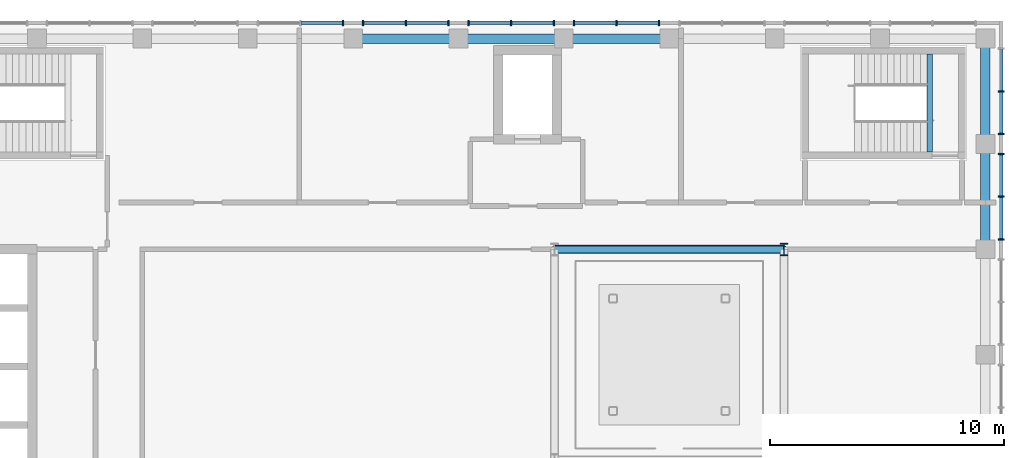
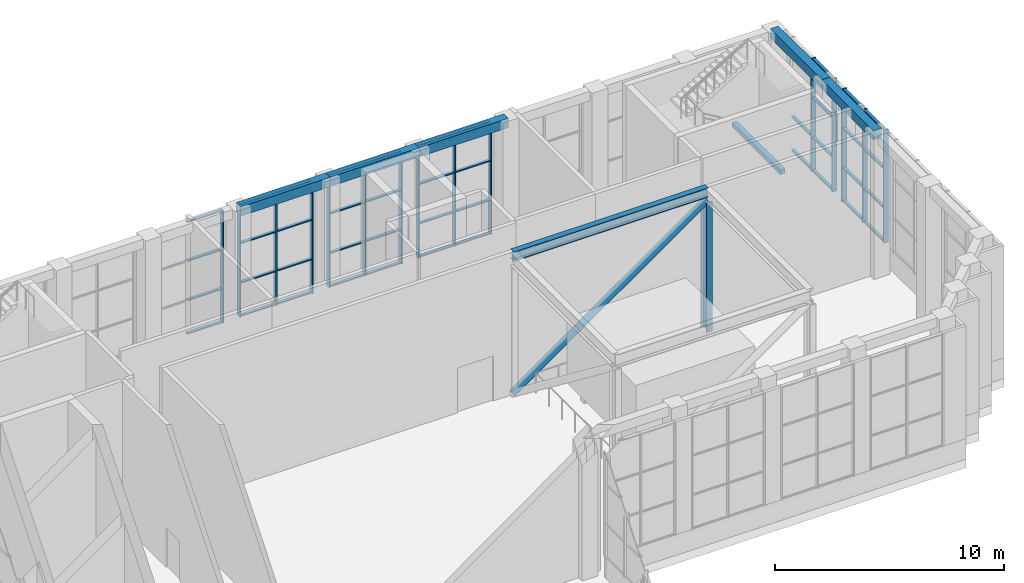
# One storey, part 7 of 17: 60 members, 6 beams, 6 elements without a shape of their own.
"""IFC4 building model written with IfcOpenShell, lengths in metres."""

from ifc_helpers import new_model, si_unit, direction, frame, origin, origin_2d, place, context, subcontext, project, spatial, rectangle, hollow_circle, i_section, extrude, material, material_profile, profile_set, type_object, element, aggregate, save


model = new_model("IFC4")

# Units and contexts
model_context = context("Model", 3, precision=1e-05, world=origin(), true_north=direction((0.0, 1.0)))
body_context = subcontext(model_context, "Body", "Model", "MODEL_VIEW")
ifc_project = project(units=[si_unit("LENGTHUNIT", "METRE"), si_unit("AREAUNIT", "SQUARE_METRE"), si_unit("VOLUMEUNIT", "CUBIC_METRE"), si_unit("PLANEANGLEUNIT", "RADIAN"), si_unit("MASSUNIT", "GRAM", prefix="KILO")], contexts=[model_context])

# Site, building, storey
site_placement = place(None, origin())
site = spatial("IfcSite", under=ifc_project, at=site_placement, CompositionType="ELEMENT")
building_placement = place(site_placement, origin())
building = spatial("IfcBuilding", under=site, at=building_placement, Name="Firuza Court", CompositionType="ELEMENT")
storey_placement = place(building_placement, frame((0.0, 0.0, 258.199951171875)))
storey = spatial("IfcBuildingStorey", under=building, at=storey_placement, Name="L67", CompositionType="ELEMENT", Elevation=258.199951171875)

# Members
ifc_material_1 = material(Name="Steel S355", Category="steel")
ifc_material_profile_1 = material_profile(ifc_material_1, i_section(OverallWidth=0.300048828125, OverallDepth=0.5, WebThickness=0.014404296875, FlangeThickness=0.028076171875, FilletRadius=0.027099609375, at=origin_2d()), Name="HE 500 B")
ifc_profile_set_1 = profile_set([ifc_material_profile_1], Name="Steel S355")
member_type_1 = type_object("IfcMemberType", Name="Damper frame beam HE 500 B S355", PredefinedType="MEMBER", material=ifc_profile_set_1)
member_1_placement = place(storey_placement, frame((26.60009765625, 49.5, 7.35009765625), z_axis=(1.0, 0.0, 0.0), x_axis=(0.0, 1.0, 0.0)))
element("IfcMember", 1, at=member_1_placement, inside=storey, type_object=member_type_1, Name="Damper frame beam TB2 L67", PredefinedType="MEMBER", context=body_context, shape_type="SweptSolid", body=[
    extrude(i_section(OverallWidth=0.300048828125, OverallDepth=0.5, WebThickness=0.014404296875, FlangeThickness=0.028076171875, FilletRadius=0.027099609375, at=origin_2d()), origin(), (0.0, 0.0, 1.0), 9.7998046875),
])
ifc_material_2 = material(Name="Steel S355", Category="steel")
ifc_material_profile_2 = material_profile(ifc_material_2, hollow_circle(Radius=0.177734375, WallThickness=0.01611328125, at=origin_2d()), Name="CHS 355.6x16")
ifc_profile_set_2 = profile_set([ifc_material_profile_2], Name="Steel S355")
member_type_2 = type_object("IfcMemberType", Name="Damper frame brace CHS 355.6x16 S355", PredefinedType="BRACE", material=ifc_profile_set_2)
member_2_placement = place(storey_placement, frame((26.60009765625, 49.5, 0.0), z_axis=(0.817649802044, 0.0, 0.575715903218), x_axis=(0.0, 1.0, 0.0)))
element("IfcMember", 2, at=member_2_placement, inside=storey, type_object=member_type_2, Name="Damper frame brace TV1 L67", PredefinedType="BRACE", context=body_context, shape_type="SweptSolid", body=[
    extrude(hollow_circle(Radius=0.177734375, WallThickness=0.01611328125, at=origin_2d()), origin(), (0.0, 0.0, 1.0), 11.9853515625),
])
ifc_material_3 = material(Name="Steel S355", Category="steel")
ifc_material_profile_3 = material_profile(ifc_material_3, i_section(OverallWidth=0.305908203125, OverallDepth=0.52392578125, WebThickness=0.02099609375, FlangeThickness=0.0400390625, FilletRadius=0.027099609375, at=origin_2d()), Name="HE 500 M")
ifc_profile_set_3 = profile_set([ifc_material_profile_3], Name="Steel S355")
member_type_3 = type_object("IfcMemberType", Name="Damper frame column HE 500 M S355", PredefinedType="POST", material=ifc_profile_set_3)
member_3_placement = place(storey_placement, frame((36.39990234375, 49.5, 0.0), z_axis=(0.0, 0.0, 1.0), x_axis=(1.0, 0.0, 0.0)))
element("IfcMember", 3, at=member_3_placement, inside=storey, type_object=member_type_3, Name="Damper frame column TF1 L67", PredefinedType="POST", context=body_context, shape_type="SweptSolid", body=[
    extrude(i_section(OverallWidth=0.305908203125, OverallDepth=0.52392578125, WebThickness=0.02099609375, FlangeThickness=0.0400390625, FilletRadius=0.027099609375, at=origin_2d()), origin(), (0.0, 0.0, 1.0), 6.900146484375),
])

# Beam
ifc_material_4 = material(Name="Concrete C40/50", Category="concrete")
ifc_material_profile_4 = material_profile(ifc_material_4, rectangle(XDim=0.25, YDim=0.25, at=origin_2d()), Name="RC 250x250")
ifc_profile_set_4 = profile_set([ifc_material_profile_4], Name="Concrete C40/50")
beam_type_1 = type_object("IfcBeamType", Name="Landing beam RC 250x250 C40/50", PredefinedType="BEAM", material=ifc_profile_set_4)
beam_placement = place(storey_placement, frame((42.625, 53.64990234375, 3.675048828125), z_axis=(0.0, 1.0, 0.0), x_axis=(-1.0, 0.0, 0.0)))
element("IfcBeam", 4, at=beam_placement, inside=storey, type_object=beam_type_1, Name="Landing beam S1 L67", PredefinedType="BEAM", context=body_context, shape_type="SweptSolid", body=[
    extrude(rectangle(XDim=0.25, YDim=0.25, at=origin_2d()), origin(), (0.0, 0.0, 1.0), 4.2001953125),
])

# Curtain wall, members
ifc_material_5 = material(Name="Aluminium curtain wall, triple clear glazing", Category="aluminium")
curtain_wall_type = type_object("IfcCurtainWallType", Name="Damper hall structural glazing CW4", PredefinedType="NOTDEFINED", material=ifc_material_5)
curtain_wall_1_placement = place(storey_placement, origin())
curtain_wall_1 = element("IfcCurtainWall", 5, at=curtain_wall_1_placement, inside=storey, type_object=curtain_wall_type, Name="Damper hall structural glazing CW4 L67", PredefinedType="NOTDEFINED")
ifc_material_6 = material(Name="Aluminium EN AW-6060 T66", Category="aluminium")
ifc_material_profile_5 = material_profile(ifc_material_6, rectangle(XDim=0.25, YDim=0.06005859375, at=origin_2d()), Name="Mullion 250 x 60 CW4")
ifc_profile_set_5 = profile_set([ifc_material_profile_5], Name="Aluminium EN AW-6060 T66")
member_type_4 = type_object("IfcMemberType", Name="Mullion 250 x 60 CW4", PredefinedType="MULLION", material=ifc_profile_set_5)
member_4_placement = place(storey_placement, frame((45.669921875, 49.929931640625, 1.10009765625), z_axis=(0.0, 0.0, 1.0), x_axis=(-1.0, 0.0, 0.0)))
member_4 = element("IfcMember", 6, at=member_4_placement, type_object=member_type_4, Name="CW4 mullion 1", PredefinedType="MULLION", context=body_context, shape_type="SweptSolid", body=[
    extrude(rectangle(XDim=0.25, YDim=0.06005859375, at=origin_2d()), origin(), (0.0, 0.0, 1.0), 6.0),
])
member_5_placement = place(storey_placement, frame((45.669921875, 51.75, 1.10009765625), z_axis=(0.0, 0.0, 1.0), x_axis=(-1.0, 0.0, 0.0)))
member_5 = element("IfcMember", 7, at=member_5_placement, type_object=member_type_4, Name="CW4 mullion 2", PredefinedType="MULLION", context=body_context, shape_type="SweptSolid", body=[
    extrude(rectangle(XDim=0.25, YDim=0.06005859375, at=origin_2d()), origin(), (0.0, 0.0, 1.0), 6.0),
])
member_6_placement = place(storey_placement, frame((45.669921875, 53.570068359375, 1.10009765625), z_axis=(0.0, 0.0, 1.0), x_axis=(-1.0, 0.0, 0.0)))
member_6 = element("IfcMember", 8, at=member_6_placement, type_object=member_type_4, Name="CW4 mullion 3", PredefinedType="MULLION", context=body_context, shape_type="SweptSolid", body=[
    extrude(rectangle(XDim=0.25, YDim=0.06005859375, at=origin_2d()), origin(), (0.0, 0.0, 1.0), 6.0),
])

curtain_wall_2_placement = place(storey_placement, origin())
curtain_wall_2 = element("IfcCurtainWall", 9, at=curtain_wall_2_placement, inside=storey, type_object=curtain_wall_type, Name="Damper hall structural glazing CW4 L67", PredefinedType="NOTDEFINED")
member_7_placement = place(storey_placement, frame((45.669921875, 54.429931640625, 1.10009765625), z_axis=(0.0, 0.0, 1.0), x_axis=(-1.0, 0.0, 0.0)))
member_7 = element("IfcMember", 10, at=member_7_placement, type_object=member_type_4, Name="CW4 mullion 1", PredefinedType="MULLION", context=body_context, shape_type="SweptSolid", body=[
    extrude(rectangle(XDim=0.25, YDim=0.06005859375, at=origin_2d()), origin(), (0.0, 0.0, 1.0), 6.0),
])
member_8_placement = place(storey_placement, frame((45.669921875, 56.25, 1.10009765625), z_axis=(0.0, 0.0, 1.0), x_axis=(-1.0, 0.0, 0.0)))
member_8 = element("IfcMember", 11, at=member_8_placement, type_object=member_type_4, Name="CW4 mullion 2", PredefinedType="MULLION", context=body_context, shape_type="SweptSolid", body=[
    extrude(rectangle(XDim=0.25, YDim=0.06005859375, at=origin_2d()), origin(), (0.0, 0.0, 1.0), 6.0),
])

curtain_wall_3_placement = place(storey_placement, origin())
curtain_wall_3 = element("IfcCurtainWall", 12, at=curtain_wall_3_placement, inside=storey, type_object=curtain_wall_type, Name="Damper hall structural glazing CW4 L67", PredefinedType="NOTDEFINED")
member_9_placement = place(storey_placement, frame((31.070068359375, 59.169921875, 1.10009765625), z_axis=(0.0, 0.0, 1.0), x_axis=(0.0, -1.0, 0.0)))
member_9 = element("IfcMember", 13, at=member_9_placement, type_object=member_type_4, Name="CW4 mullion 1", PredefinedType="MULLION", context=body_context, shape_type="SweptSolid", body=[
    extrude(rectangle(XDim=0.25, YDim=0.06005859375, at=origin_2d()), origin(), (0.0, 0.0, 1.0), 6.0),
])
member_10_placement = place(storey_placement, frame((29.25, 59.169921875, 1.10009765625), z_axis=(0.0, 0.0, 1.0), x_axis=(0.0, -1.0, 0.0)))
member_10 = element("IfcMember", 14, at=member_10_placement, type_object=member_type_4, Name="CW4 mullion 2", PredefinedType="MULLION", context=body_context, shape_type="SweptSolid", body=[
    extrude(rectangle(XDim=0.25, YDim=0.06005859375, at=origin_2d()), origin(), (0.0, 0.0, 1.0), 6.0),
])
member_11_placement = place(storey_placement, frame((27.429931640625, 59.169921875, 1.10009765625), z_axis=(0.0, 0.0, 1.0), x_axis=(0.0, -1.0, 0.0)))
member_11 = element("IfcMember", 15, at=member_11_placement, type_object=member_type_4, Name="CW4 mullion 3", PredefinedType="MULLION", context=body_context, shape_type="SweptSolid", body=[
    extrude(rectangle(XDim=0.25, YDim=0.06005859375, at=origin_2d()), origin(), (0.0, 0.0, 1.0), 6.0),
])

curtain_wall_4_placement = place(storey_placement, origin())
curtain_wall_4 = element("IfcCurtainWall", 16, at=curtain_wall_4_placement, inside=storey, type_object=curtain_wall_type, Name="Damper hall structural glazing CW4 L67", PredefinedType="NOTDEFINED")
member_12_placement = place(storey_placement, frame((26.570068359375, 59.169921875, 1.10009765625), z_axis=(0.0, 0.0, 1.0), x_axis=(0.0, -1.0, 0.0)))
member_12 = element("IfcMember", 17, at=member_12_placement, type_object=member_type_4, Name="CW4 mullion 1", PredefinedType="MULLION", context=body_context, shape_type="SweptSolid", body=[
    extrude(rectangle(XDim=0.25, YDim=0.06005859375, at=origin_2d()), origin(), (0.0, 0.0, 1.0), 6.0),
])
member_13_placement = place(storey_placement, frame((24.75, 59.169921875, 1.10009765625), z_axis=(0.0, 0.0, 1.0), x_axis=(0.0, -1.0, 0.0)))
member_13 = element("IfcMember", 18, at=member_13_placement, type_object=member_type_4, Name="CW4 mullion 2", PredefinedType="MULLION", context=body_context, shape_type="SweptSolid", body=[
    extrude(rectangle(XDim=0.25, YDim=0.06005859375, at=origin_2d()), origin(), (0.0, 0.0, 1.0), 6.0),
])
member_14_placement = place(storey_placement, frame((22.929931640625, 59.169921875, 1.10009765625), z_axis=(0.0, 0.0, 1.0), x_axis=(0.0, -1.0, 0.0)))
member_14 = element("IfcMember", 19, at=member_14_placement, type_object=member_type_4, Name="CW4 mullion 3", PredefinedType="MULLION", context=body_context, shape_type="SweptSolid", body=[
    extrude(rectangle(XDim=0.25, YDim=0.06005859375, at=origin_2d()), origin(), (0.0, 0.0, 1.0), 6.0),
])

curtain_wall_5_placement = place(storey_placement, origin())
curtain_wall_5 = element("IfcCurtainWall", 20, at=curtain_wall_5_placement, inside=storey, type_object=curtain_wall_type, Name="Damper hall structural glazing CW4 L67", PredefinedType="NOTDEFINED")
member_15_placement = place(storey_placement, frame((22.070068359375, 59.169921875, 1.10009765625), z_axis=(0.0, 0.0, 1.0), x_axis=(0.0, -1.0, 0.0)))
member_15 = element("IfcMember", 21, at=member_15_placement, type_object=member_type_4, Name="CW4 mullion 1", PredefinedType="MULLION", context=body_context, shape_type="SweptSolid", body=[
    extrude(rectangle(XDim=0.25, YDim=0.06005859375, at=origin_2d()), origin(), (0.0, 0.0, 1.0), 6.0),
])
member_16_placement = place(storey_placement, frame((20.25, 59.169921875, 1.10009765625), z_axis=(0.0, 0.0, 1.0), x_axis=(0.0, -1.0, 0.0)))
member_16 = element("IfcMember", 22, at=member_16_placement, type_object=member_type_4, Name="CW4 mullion 2", PredefinedType="MULLION", context=body_context, shape_type="SweptSolid", body=[
    extrude(rectangle(XDim=0.25, YDim=0.06005859375, at=origin_2d()), origin(), (0.0, 0.0, 1.0), 6.0),
])
member_17_placement = place(storey_placement, frame((18.429931640625, 59.169921875, 1.10009765625), z_axis=(0.0, 0.0, 1.0), x_axis=(0.0, -1.0, 0.0)))
member_17 = element("IfcMember", 23, at=member_17_placement, type_object=member_type_4, Name="CW4 mullion 3", PredefinedType="MULLION", context=body_context, shape_type="SweptSolid", body=[
    extrude(rectangle(XDim=0.25, YDim=0.06005859375, at=origin_2d()), origin(), (0.0, 0.0, 1.0), 6.0),
])

# Curtain wall, member
curtain_wall_6_placement = place(storey_placement, origin())
curtain_wall_6 = element("IfcCurtainWall", 24, at=curtain_wall_6_placement, inside=storey, type_object=curtain_wall_type, Name="Damper hall structural glazing CW4 L67", PredefinedType="NOTDEFINED")
member_18_placement = place(storey_placement, frame((17.570068359375, 59.169921875, 1.10009765625), z_axis=(0.0, 0.0, 1.0), x_axis=(0.0, -1.0, 0.0)))
member_18 = element("IfcMember", 25, at=member_18_placement, type_object=member_type_4, Name="CW4 mullion 1", PredefinedType="MULLION", context=body_context, shape_type="SweptSolid", body=[
    extrude(rectangle(XDim=0.25, YDim=0.06005859375, at=origin_2d()), origin(), (0.0, 0.0, 1.0), 6.0),
])

# Beams
ifc_material_7 = material(Name="Concrete C40/50", Category="concrete")
ifc_material_profile_6 = material_profile(ifc_material_7, rectangle(XDim=0.39990234375, YDim=0.5, at=origin_2d()), Name="RC 400x500")
ifc_profile_set_6 = profile_set([ifc_material_profile_6], Name="Concrete C40/50")
beam_type_2 = type_object("IfcBeamType", Name="Spandrel beam RC 400x500 C40/50", PredefinedType="BEAM", material=ifc_profile_set_6)
for number, where, z_axis, x_axis, name in (
    (26, (22.5, 58.5, 7.35009765625), (-1.0, 0.0, 0.0), (0.0, -1.0, 0.0), "Spandrel beam SP18 level L68"),
    (27, (27.0, 58.5, 7.35009765625), (-1.0, 0.0, 0.0), (0.0, -1.0, 0.0), "Spandrel beam SP18 level L68"),
    (28, (31.5, 58.5, 7.35009765625), (-1.0, 0.0, 0.0), (0.0, -1.0, 0.0), "Spandrel beam SP18 level L68"),
    (29, (45.0, 49.5, 7.35009765625), (0.0, 1.0, 0.0), (-1.0, 0.0, 0.0), "Spandrel beam SP18 level L68"),
    (30, (45.0, 54.0, 7.35009765625), (0.0, 1.0, 0.0), (-1.0, 0.0, 0.0), "Spandrel beam SP18 level L68"),
):
    element("IfcBeam", number, at=place(storey_placement, frame(where, z_axis=z_axis, x_axis=x_axis)), inside=storey, type_object=beam_type_2, Name=name, PredefinedType="BEAM", context=body_context, shape_type="SweptSolid", body=[
        extrude(rectangle(XDim=0.39990234375, YDim=0.5, at=origin_2d()), origin(), (0.0, 0.0, 1.0), 4.5),
    ])

# Member
ifc_material_8 = material(Name="Aluminium EN AW-6060 T66", Category="aluminium")
ifc_material_profile_7 = material_profile(ifc_material_8, rectangle(XDim=0.14990234375, YDim=0.06005859375, at=origin_2d()), Name="Transom 150 x 60 CW4")
ifc_profile_set_7 = profile_set([ifc_material_profile_7], Name="Aluminium EN AW-6060 T66")
member_type_5 = type_object("IfcMemberType", Name="Transom 150 x 60 CW4", PredefinedType="USERDEFINED", material=ifc_profile_set_7)
member_19_placement = place(storey_placement, frame((45.669921875, 49.9599609375, 1.130126953125), z_axis=(0.0, 1.0, 0.0), x_axis=(-1.0, 0.0, 0.0)))
member_19 = element("IfcMember", 31, at=member_19_placement, type_object=member_type_5, Name="CW4 transom 1.1", ObjectType="TRANSOM", PredefinedType="USERDEFINED", context=body_context, shape_type="SweptSolid", body=[
    extrude(rectangle(XDim=0.14990234375, YDim=0.06005859375, at=origin_2d()), origin(), (0.0, 0.0, 1.0), 1.760009765625),
])

member_20_placement = place(storey_placement, frame((45.669921875, 49.9599609375, 2.900146484375), z_axis=(0.0, 1.0, 0.0), x_axis=(-1.0, 0.0, 0.0)))
member_20 = element("IfcMember", 32, at=member_20_placement, type_object=member_type_5, Name="CW4 transom 1.2", ObjectType="TRANSOM", PredefinedType="USERDEFINED", context=body_context, shape_type="SweptSolid", body=[
    extrude(rectangle(XDim=0.14990234375, YDim=0.06005859375, at=origin_2d()), origin(), (0.0, 0.0, 1.0), 1.760009765625),
])

member_21_placement = place(storey_placement, frame((45.669921875, 49.9599609375, 5.0), z_axis=(0.0, 1.0, 0.0), x_axis=(-1.0, 0.0, 0.0)))
member_21 = element("IfcMember", 33, at=member_21_placement, type_object=member_type_5, Name="CW4 transom 1.3", ObjectType="TRANSOM", PredefinedType="USERDEFINED", context=body_context, shape_type="SweptSolid", body=[
    extrude(rectangle(XDim=0.14990234375, YDim=0.06005859375, at=origin_2d()), origin(), (0.0, 0.0, 1.0), 1.760009765625),
])

member_22_placement = place(storey_placement, frame((45.669921875, 49.9599609375, 7.070068359375), z_axis=(0.0, 1.0, 0.0), x_axis=(-1.0, 0.0, 0.0)))
member_22 = element("IfcMember", 34, at=member_22_placement, type_object=member_type_5, Name="CW4 transom 1.4", ObjectType="TRANSOM", PredefinedType="USERDEFINED", context=body_context, shape_type="SweptSolid", body=[
    extrude(rectangle(XDim=0.14990234375, YDim=0.06005859375, at=origin_2d()), origin(), (0.0, 0.0, 1.0), 1.760009765625),
])

member_23_placement = place(storey_placement, frame((45.669921875, 51.780029296875, 1.130126953125), z_axis=(0.0, 1.0, 0.0), x_axis=(-1.0, 0.0, 0.0)))
member_23 = element("IfcMember", 35, at=member_23_placement, type_object=member_type_5, Name="CW4 transom 2.1", ObjectType="TRANSOM", PredefinedType="USERDEFINED", context=body_context, shape_type="SweptSolid", body=[
    extrude(rectangle(XDim=0.14990234375, YDim=0.06005859375, at=origin_2d()), origin(), (0.0, 0.0, 1.0), 1.760009765625),
])

member_24_placement = place(storey_placement, frame((45.669921875, 51.780029296875, 2.900146484375), z_axis=(0.0, 1.0, 0.0), x_axis=(-1.0, 0.0, 0.0)))
member_24 = element("IfcMember", 36, at=member_24_placement, type_object=member_type_5, Name="CW4 transom 2.2", ObjectType="TRANSOM", PredefinedType="USERDEFINED", context=body_context, shape_type="SweptSolid", body=[
    extrude(rectangle(XDim=0.14990234375, YDim=0.06005859375, at=origin_2d()), origin(), (0.0, 0.0, 1.0), 1.760009765625),
])

member_25_placement = place(storey_placement, frame((45.669921875, 51.780029296875, 5.0), z_axis=(0.0, 1.0, 0.0), x_axis=(-1.0, 0.0, 0.0)))
member_25 = element("IfcMember", 37, at=member_25_placement, type_object=member_type_5, Name="CW4 transom 2.3", ObjectType="TRANSOM", PredefinedType="USERDEFINED", context=body_context, shape_type="SweptSolid", body=[
    extrude(rectangle(XDim=0.14990234375, YDim=0.06005859375, at=origin_2d()), origin(), (0.0, 0.0, 1.0), 1.760009765625),
])

member_26_placement = place(storey_placement, frame((45.669921875, 51.780029296875, 7.070068359375), z_axis=(0.0, 1.0, 0.0), x_axis=(-1.0, 0.0, 0.0)))
member_26 = element("IfcMember", 38, at=member_26_placement, type_object=member_type_5, Name="CW4 transom 2.4", ObjectType="TRANSOM", PredefinedType="USERDEFINED", context=body_context, shape_type="SweptSolid", body=[
    extrude(rectangle(XDim=0.14990234375, YDim=0.06005859375, at=origin_2d()), origin(), (0.0, 0.0, 1.0), 1.760009765625),
])

aggregate(curtain_wall_1, [member_4, member_5, member_6, member_19, member_20, member_21, member_22, member_23, member_24, member_25, member_26])

member_27_placement = place(storey_placement, frame((45.669921875, 54.4599609375, 1.130126953125), z_axis=(0.0, 1.0, 0.0), x_axis=(-1.0, 0.0, 0.0)))
member_27 = element("IfcMember", 39, at=member_27_placement, type_object=member_type_5, Name="CW4 transom 1.1", ObjectType="TRANSOM", PredefinedType="USERDEFINED", context=body_context, shape_type="SweptSolid", body=[
    extrude(rectangle(XDim=0.14990234375, YDim=0.06005859375, at=origin_2d()), origin(), (0.0, 0.0, 1.0), 1.760009765625),
])

member_28_placement = place(storey_placement, frame((45.669921875, 54.4599609375, 2.900146484375), z_axis=(0.0, 1.0, 0.0), x_axis=(-1.0, 0.0, 0.0)))
member_28 = element("IfcMember", 40, at=member_28_placement, type_object=member_type_5, Name="CW4 transom 1.2", ObjectType="TRANSOM", PredefinedType="USERDEFINED", context=body_context, shape_type="SweptSolid", body=[
    extrude(rectangle(XDim=0.14990234375, YDim=0.06005859375, at=origin_2d()), origin(), (0.0, 0.0, 1.0), 1.760009765625),
])

member_29_placement = place(storey_placement, frame((45.669921875, 54.4599609375, 5.0), z_axis=(0.0, 1.0, 0.0), x_axis=(-1.0, 0.0, 0.0)))
member_29 = element("IfcMember", 41, at=member_29_placement, type_object=member_type_5, Name="CW4 transom 1.3", ObjectType="TRANSOM", PredefinedType="USERDEFINED", context=body_context, shape_type="SweptSolid", body=[
    extrude(rectangle(XDim=0.14990234375, YDim=0.06005859375, at=origin_2d()), origin(), (0.0, 0.0, 1.0), 1.760009765625),
])

member_30_placement = place(storey_placement, frame((45.669921875, 54.4599609375, 7.070068359375), z_axis=(0.0, 1.0, 0.0), x_axis=(-1.0, 0.0, 0.0)))
member_30 = element("IfcMember", 42, at=member_30_placement, type_object=member_type_5, Name="CW4 transom 1.4", ObjectType="TRANSOM", PredefinedType="USERDEFINED", context=body_context, shape_type="SweptSolid", body=[
    extrude(rectangle(XDim=0.14990234375, YDim=0.06005859375, at=origin_2d()), origin(), (0.0, 0.0, 1.0), 1.760009765625),
])

member_31_placement = place(storey_placement, frame((45.669921875, 56.280029296875, 1.130126953125), z_axis=(0.0, 1.0, 0.0), x_axis=(-1.0, 0.0, 0.0)))
member_31 = element("IfcMember", 43, at=member_31_placement, type_object=member_type_5, Name="CW4 transom 2.1", ObjectType="TRANSOM", PredefinedType="USERDEFINED", context=body_context, shape_type="SweptSolid", body=[
    extrude(rectangle(XDim=0.14990234375, YDim=0.06005859375, at=origin_2d()), origin(), (0.0, 0.0, 1.0), 1.760009765625),
])

member_32_placement = place(storey_placement, frame((45.669921875, 56.280029296875, 2.900146484375), z_axis=(0.0, 1.0, 0.0), x_axis=(-1.0, 0.0, 0.0)))
member_32 = element("IfcMember", 44, at=member_32_placement, type_object=member_type_5, Name="CW4 transom 2.2", ObjectType="TRANSOM", PredefinedType="USERDEFINED", context=body_context, shape_type="SweptSolid", body=[
    extrude(rectangle(XDim=0.14990234375, YDim=0.06005859375, at=origin_2d()), origin(), (0.0, 0.0, 1.0), 1.760009765625),
])

aggregate(curtain_wall_2, [member_7, member_8, member_27, member_28, member_29, member_30, member_31, member_32])

member_33_placement = place(storey_placement, frame((31.0400390625, 59.169921875, 1.130126953125), z_axis=(-1.0, 0.0, 0.0), x_axis=(0.0, -1.0, 0.0)))
member_33 = element("IfcMember", 45, at=member_33_placement, type_object=member_type_5, Name="CW4 transom 1.1", ObjectType="TRANSOM", PredefinedType="USERDEFINED", context=body_context, shape_type="SweptSolid", body=[
    extrude(rectangle(XDim=0.14990234375, YDim=0.06005859375, at=origin_2d()), origin(), (0.0, 0.0, 1.0), 1.760009765625),
])

member_34_placement = place(storey_placement, frame((31.0400390625, 59.169921875, 2.900146484375), z_axis=(-1.0, 0.0, 0.0), x_axis=(0.0, -1.0, 0.0)))
member_34 = element("IfcMember", 46, at=member_34_placement, type_object=member_type_5, Name="CW4 transom 1.2", ObjectType="TRANSOM", PredefinedType="USERDEFINED", context=body_context, shape_type="SweptSolid", body=[
    extrude(rectangle(XDim=0.14990234375, YDim=0.06005859375, at=origin_2d()), origin(), (0.0, 0.0, 1.0), 1.760009765625),
])

member_35_placement = place(storey_placement, frame((31.0400390625, 59.169921875, 5.0), z_axis=(-1.0, 0.0, 0.0), x_axis=(0.0, -1.0, 0.0)))
member_35 = element("IfcMember", 47, at=member_35_placement, type_object=member_type_5, Name="CW4 transom 1.3", ObjectType="TRANSOM", PredefinedType="USERDEFINED", context=body_context, shape_type="SweptSolid", body=[
    extrude(rectangle(XDim=0.14990234375, YDim=0.06005859375, at=origin_2d()), origin(), (0.0, 0.0, 1.0), 1.760009765625),
])

member_36_placement = place(storey_placement, frame((31.0400390625, 59.169921875, 7.070068359375), z_axis=(-1.0, 0.0, 0.0), x_axis=(0.0, -1.0, 0.0)))
member_36 = element("IfcMember", 48, at=member_36_placement, type_object=member_type_5, Name="CW4 transom 1.4", ObjectType="TRANSOM", PredefinedType="USERDEFINED", context=body_context, shape_type="SweptSolid", body=[
    extrude(rectangle(XDim=0.14990234375, YDim=0.06005859375, at=origin_2d()), origin(), (0.0, 0.0, 1.0), 1.760009765625),
])

member_37_placement = place(storey_placement, frame((29.219970703125, 59.169921875, 1.130126953125), z_axis=(-1.0, 0.0, 0.0), x_axis=(0.0, -1.0, 0.0)))
member_37 = element("IfcMember", 49, at=member_37_placement, type_object=member_type_5, Name="CW4 transom 2.1", ObjectType="TRANSOM", PredefinedType="USERDEFINED", context=body_context, shape_type="SweptSolid", body=[
    extrude(rectangle(XDim=0.14990234375, YDim=0.06005859375, at=origin_2d()), origin(), (0.0, 0.0, 1.0), 1.760009765625),
])

member_38_placement = place(storey_placement, frame((29.219970703125, 59.169921875, 2.900146484375), z_axis=(-1.0, 0.0, 0.0), x_axis=(0.0, -1.0, 0.0)))
member_38 = element("IfcMember", 50, at=member_38_placement, type_object=member_type_5, Name="CW4 transom 2.2", ObjectType="TRANSOM", PredefinedType="USERDEFINED", context=body_context, shape_type="SweptSolid", body=[
    extrude(rectangle(XDim=0.14990234375, YDim=0.06005859375, at=origin_2d()), origin(), (0.0, 0.0, 1.0), 1.760009765625),
])

member_39_placement = place(storey_placement, frame((29.219970703125, 59.169921875, 5.0), z_axis=(-1.0, 0.0, 0.0), x_axis=(0.0, -1.0, 0.0)))
member_39 = element("IfcMember", 51, at=member_39_placement, type_object=member_type_5, Name="CW4 transom 2.3", ObjectType="TRANSOM", PredefinedType="USERDEFINED", context=body_context, shape_type="SweptSolid", body=[
    extrude(rectangle(XDim=0.14990234375, YDim=0.06005859375, at=origin_2d()), origin(), (0.0, 0.0, 1.0), 1.760009765625),
])

member_40_placement = place(storey_placement, frame((29.219970703125, 59.169921875, 7.070068359375), z_axis=(-1.0, 0.0, 0.0), x_axis=(0.0, -1.0, 0.0)))
member_40 = element("IfcMember", 52, at=member_40_placement, type_object=member_type_5, Name="CW4 transom 2.4", ObjectType="TRANSOM", PredefinedType="USERDEFINED", context=body_context, shape_type="SweptSolid", body=[
    extrude(rectangle(XDim=0.14990234375, YDim=0.06005859375, at=origin_2d()), origin(), (0.0, 0.0, 1.0), 1.760009765625),
])

aggregate(curtain_wall_3, [member_9, member_10, member_11, member_33, member_34, member_35, member_36, member_37, member_38, member_39, member_40])

member_41_placement = place(storey_placement, frame((26.5400390625, 59.169921875, 1.130126953125), z_axis=(-1.0, 0.0, 0.0), x_axis=(0.0, -1.0, 0.0)))
member_41 = element("IfcMember", 53, at=member_41_placement, type_object=member_type_5, Name="CW4 transom 1.1", ObjectType="TRANSOM", PredefinedType="USERDEFINED", context=body_context, shape_type="SweptSolid", body=[
    extrude(rectangle(XDim=0.14990234375, YDim=0.06005859375, at=origin_2d()), origin(), (0.0, 0.0, 1.0), 1.760009765625),
])

member_42_placement = place(storey_placement, frame((26.5400390625, 59.169921875, 2.900146484375), z_axis=(-1.0, 0.0, 0.0), x_axis=(0.0, -1.0, 0.0)))
member_42 = element("IfcMember", 54, at=member_42_placement, type_object=member_type_5, Name="CW4 transom 1.2", ObjectType="TRANSOM", PredefinedType="USERDEFINED", context=body_context, shape_type="SweptSolid", body=[
    extrude(rectangle(XDim=0.14990234375, YDim=0.06005859375, at=origin_2d()), origin(), (0.0, 0.0, 1.0), 1.760009765625),
])

member_43_placement = place(storey_placement, frame((26.5400390625, 59.169921875, 5.0), z_axis=(-1.0, 0.0, 0.0), x_axis=(0.0, -1.0, 0.0)))
member_43 = element("IfcMember", 55, at=member_43_placement, type_object=member_type_5, Name="CW4 transom 1.3", ObjectType="TRANSOM", PredefinedType="USERDEFINED", context=body_context, shape_type="SweptSolid", body=[
    extrude(rectangle(XDim=0.14990234375, YDim=0.06005859375, at=origin_2d()), origin(), (0.0, 0.0, 1.0), 1.760009765625),
])

member_44_placement = place(storey_placement, frame((26.5400390625, 59.169921875, 7.070068359375), z_axis=(-1.0, 0.0, 0.0), x_axis=(0.0, -1.0, 0.0)))
member_44 = element("IfcMember", 56, at=member_44_placement, type_object=member_type_5, Name="CW4 transom 1.4", ObjectType="TRANSOM", PredefinedType="USERDEFINED", context=body_context, shape_type="SweptSolid", body=[
    extrude(rectangle(XDim=0.14990234375, YDim=0.06005859375, at=origin_2d()), origin(), (0.0, 0.0, 1.0), 1.760009765625),
])

member_45_placement = place(storey_placement, frame((24.719970703125, 59.169921875, 1.130126953125), z_axis=(-1.0, 0.0, 0.0), x_axis=(0.0, -1.0, 0.0)))
member_45 = element("IfcMember", 57, at=member_45_placement, type_object=member_type_5, Name="CW4 transom 2.1", ObjectType="TRANSOM", PredefinedType="USERDEFINED", context=body_context, shape_type="SweptSolid", body=[
    extrude(rectangle(XDim=0.14990234375, YDim=0.06005859375, at=origin_2d()), origin(), (0.0, 0.0, 1.0), 1.760009765625),
])

member_46_placement = place(storey_placement, frame((24.719970703125, 59.169921875, 2.900146484375), z_axis=(-1.0, 0.0, 0.0), x_axis=(0.0, -1.0, 0.0)))
member_46 = element("IfcMember", 58, at=member_46_placement, type_object=member_type_5, Name="CW4 transom 2.2", ObjectType="TRANSOM", PredefinedType="USERDEFINED", context=body_context, shape_type="SweptSolid", body=[
    extrude(rectangle(XDim=0.14990234375, YDim=0.06005859375, at=origin_2d()), origin(), (0.0, 0.0, 1.0), 1.760009765625),
])

member_47_placement = place(storey_placement, frame((24.719970703125, 59.169921875, 5.0), z_axis=(-1.0, 0.0, 0.0), x_axis=(0.0, -1.0, 0.0)))
member_47 = element("IfcMember", 59, at=member_47_placement, type_object=member_type_5, Name="CW4 transom 2.3", ObjectType="TRANSOM", PredefinedType="USERDEFINED", context=body_context, shape_type="SweptSolid", body=[
    extrude(rectangle(XDim=0.14990234375, YDim=0.06005859375, at=origin_2d()), origin(), (0.0, 0.0, 1.0), 1.760009765625),
])

member_48_placement = place(storey_placement, frame((24.719970703125, 59.169921875, 7.070068359375), z_axis=(-1.0, 0.0, 0.0), x_axis=(0.0, -1.0, 0.0)))
member_48 = element("IfcMember", 60, at=member_48_placement, type_object=member_type_5, Name="CW4 transom 2.4", ObjectType="TRANSOM", PredefinedType="USERDEFINED", context=body_context, shape_type="SweptSolid", body=[
    extrude(rectangle(XDim=0.14990234375, YDim=0.06005859375, at=origin_2d()), origin(), (0.0, 0.0, 1.0), 1.760009765625),
])

aggregate(curtain_wall_4, [member_12, member_13, member_14, member_41, member_42, member_43, member_44, member_45, member_46, member_47, member_48])

member_49_placement = place(storey_placement, frame((22.0400390625, 59.169921875, 1.130126953125), z_axis=(-1.0, 0.0, 0.0), x_axis=(0.0, -1.0, 0.0)))
member_49 = element("IfcMember", 61, at=member_49_placement, type_object=member_type_5, Name="CW4 transom 1.1", ObjectType="TRANSOM", PredefinedType="USERDEFINED", context=body_context, shape_type="SweptSolid", body=[
    extrude(rectangle(XDim=0.14990234375, YDim=0.06005859375, at=origin_2d()), origin(), (0.0, 0.0, 1.0), 1.760009765625),
])

member_50_placement = place(storey_placement, frame((22.0400390625, 59.169921875, 2.900146484375), z_axis=(-1.0, 0.0, 0.0), x_axis=(0.0, -1.0, 0.0)))
member_50 = element("IfcMember", 62, at=member_50_placement, type_object=member_type_5, Name="CW4 transom 1.2", ObjectType="TRANSOM", PredefinedType="USERDEFINED", context=body_context, shape_type="SweptSolid", body=[
    extrude(rectangle(XDim=0.14990234375, YDim=0.06005859375, at=origin_2d()), origin(), (0.0, 0.0, 1.0), 1.760009765625),
])

member_51_placement = place(storey_placement, frame((22.0400390625, 59.169921875, 5.0), z_axis=(-1.0, 0.0, 0.0), x_axis=(0.0, -1.0, 0.0)))
member_51 = element("IfcMember", 63, at=member_51_placement, type_object=member_type_5, Name="CW4 transom 1.3", ObjectType="TRANSOM", PredefinedType="USERDEFINED", context=body_context, shape_type="SweptSolid", body=[
    extrude(rectangle(XDim=0.14990234375, YDim=0.06005859375, at=origin_2d()), origin(), (0.0, 0.0, 1.0), 1.760009765625),
])

member_52_placement = place(storey_placement, frame((22.0400390625, 59.169921875, 7.070068359375), z_axis=(-1.0, 0.0, 0.0), x_axis=(0.0, -1.0, 0.0)))
member_52 = element("IfcMember", 64, at=member_52_placement, type_object=member_type_5, Name="CW4 transom 1.4", ObjectType="TRANSOM", PredefinedType="USERDEFINED", context=body_context, shape_type="SweptSolid", body=[
    extrude(rectangle(XDim=0.14990234375, YDim=0.06005859375, at=origin_2d()), origin(), (0.0, 0.0, 1.0), 1.760009765625),
])

member_53_placement = place(storey_placement, frame((20.219970703125, 59.169921875, 1.130126953125), z_axis=(-1.0, 0.0, 0.0), x_axis=(0.0, -1.0, 0.0)))
member_53 = element("IfcMember", 65, at=member_53_placement, type_object=member_type_5, Name="CW4 transom 2.1", ObjectType="TRANSOM", PredefinedType="USERDEFINED", context=body_context, shape_type="SweptSolid", body=[
    extrude(rectangle(XDim=0.14990234375, YDim=0.06005859375, at=origin_2d()), origin(), (0.0, 0.0, 1.0), 1.760009765625),
])

member_54_placement = place(storey_placement, frame((20.219970703125, 59.169921875, 2.900146484375), z_axis=(-1.0, 0.0, 0.0), x_axis=(0.0, -1.0, 0.0)))
member_54 = element("IfcMember", 66, at=member_54_placement, type_object=member_type_5, Name="CW4 transom 2.2", ObjectType="TRANSOM", PredefinedType="USERDEFINED", context=body_context, shape_type="SweptSolid", body=[
    extrude(rectangle(XDim=0.14990234375, YDim=0.06005859375, at=origin_2d()), origin(), (0.0, 0.0, 1.0), 1.760009765625),
])

member_55_placement = place(storey_placement, frame((20.219970703125, 59.169921875, 5.0), z_axis=(-1.0, 0.0, 0.0), x_axis=(0.0, -1.0, 0.0)))
member_55 = element("IfcMember", 67, at=member_55_placement, type_object=member_type_5, Name="CW4 transom 2.3", ObjectType="TRANSOM", PredefinedType="USERDEFINED", context=body_context, shape_type="SweptSolid", body=[
    extrude(rectangle(XDim=0.14990234375, YDim=0.06005859375, at=origin_2d()), origin(), (0.0, 0.0, 1.0), 1.760009765625),
])

member_56_placement = place(storey_placement, frame((20.219970703125, 59.169921875, 7.070068359375), z_axis=(-1.0, 0.0, 0.0), x_axis=(0.0, -1.0, 0.0)))
member_56 = element("IfcMember", 68, at=member_56_placement, type_object=member_type_5, Name="CW4 transom 2.4", ObjectType="TRANSOM", PredefinedType="USERDEFINED", context=body_context, shape_type="SweptSolid", body=[
    extrude(rectangle(XDim=0.14990234375, YDim=0.06005859375, at=origin_2d()), origin(), (0.0, 0.0, 1.0), 1.760009765625),
])

aggregate(curtain_wall_5, [member_15, member_16, member_17, member_49, member_50, member_51, member_52, member_53, member_54, member_55, member_56])

member_57_placement = place(storey_placement, frame((17.5400390625, 59.169921875, 1.130126953125), z_axis=(-1.0, 0.0, 0.0), x_axis=(0.0, -1.0, 0.0)))
member_57 = element("IfcMember", 69, at=member_57_placement, type_object=member_type_5, Name="CW4 transom 1.1", ObjectType="TRANSOM", PredefinedType="USERDEFINED", context=body_context, shape_type="SweptSolid", body=[
    extrude(rectangle(XDim=0.14990234375, YDim=0.06005859375, at=origin_2d()), origin(), (0.0, 0.0, 1.0), 1.760009765625),
])

member_58_placement = place(storey_placement, frame((17.5400390625, 59.169921875, 2.900146484375), z_axis=(-1.0, 0.0, 0.0), x_axis=(0.0, -1.0, 0.0)))
member_58 = element("IfcMember", 70, at=member_58_placement, type_object=member_type_5, Name="CW4 transom 1.2", ObjectType="TRANSOM", PredefinedType="USERDEFINED", context=body_context, shape_type="SweptSolid", body=[
    extrude(rectangle(XDim=0.14990234375, YDim=0.06005859375, at=origin_2d()), origin(), (0.0, 0.0, 1.0), 1.760009765625),
])

member_59_placement = place(storey_placement, frame((17.5400390625, 59.169921875, 5.0), z_axis=(-1.0, 0.0, 0.0), x_axis=(0.0, -1.0, 0.0)))
member_59 = element("IfcMember", 71, at=member_59_placement, type_object=member_type_5, Name="CW4 transom 1.3", ObjectType="TRANSOM", PredefinedType="USERDEFINED", context=body_context, shape_type="SweptSolid", body=[
    extrude(rectangle(XDim=0.14990234375, YDim=0.06005859375, at=origin_2d()), origin(), (0.0, 0.0, 1.0), 1.760009765625),
])

member_60_placement = place(storey_placement, frame((17.5400390625, 59.169921875, 7.070068359375), z_axis=(-1.0, 0.0, 0.0), x_axis=(0.0, -1.0, 0.0)))
member_60 = element("IfcMember", 72, at=member_60_placement, type_object=member_type_5, Name="CW4 transom 1.4", ObjectType="TRANSOM", PredefinedType="USERDEFINED", context=body_context, shape_type="SweptSolid", body=[
    extrude(rectangle(XDim=0.14990234375, YDim=0.06005859375, at=origin_2d()), origin(), (0.0, 0.0, 1.0), 1.760009765625),
])

aggregate(curtain_wall_6, [member_18, member_57, member_58, member_59, member_60])

save(model, "model.ifc")
